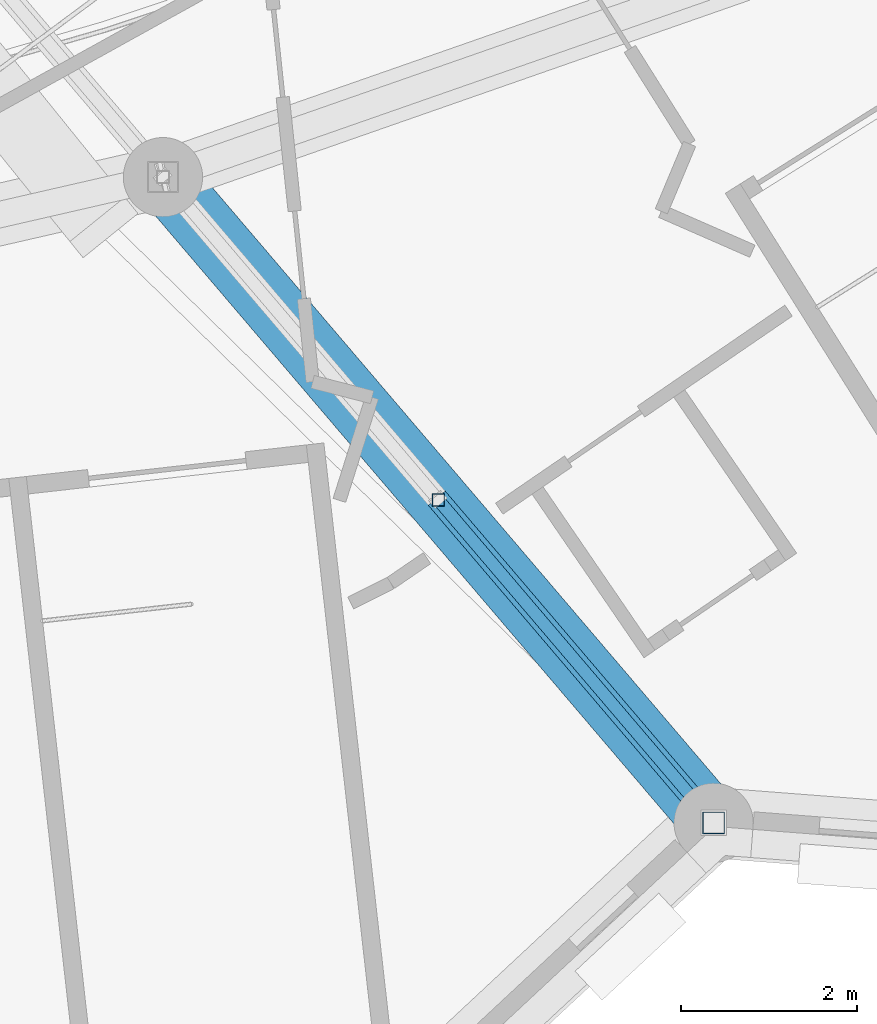
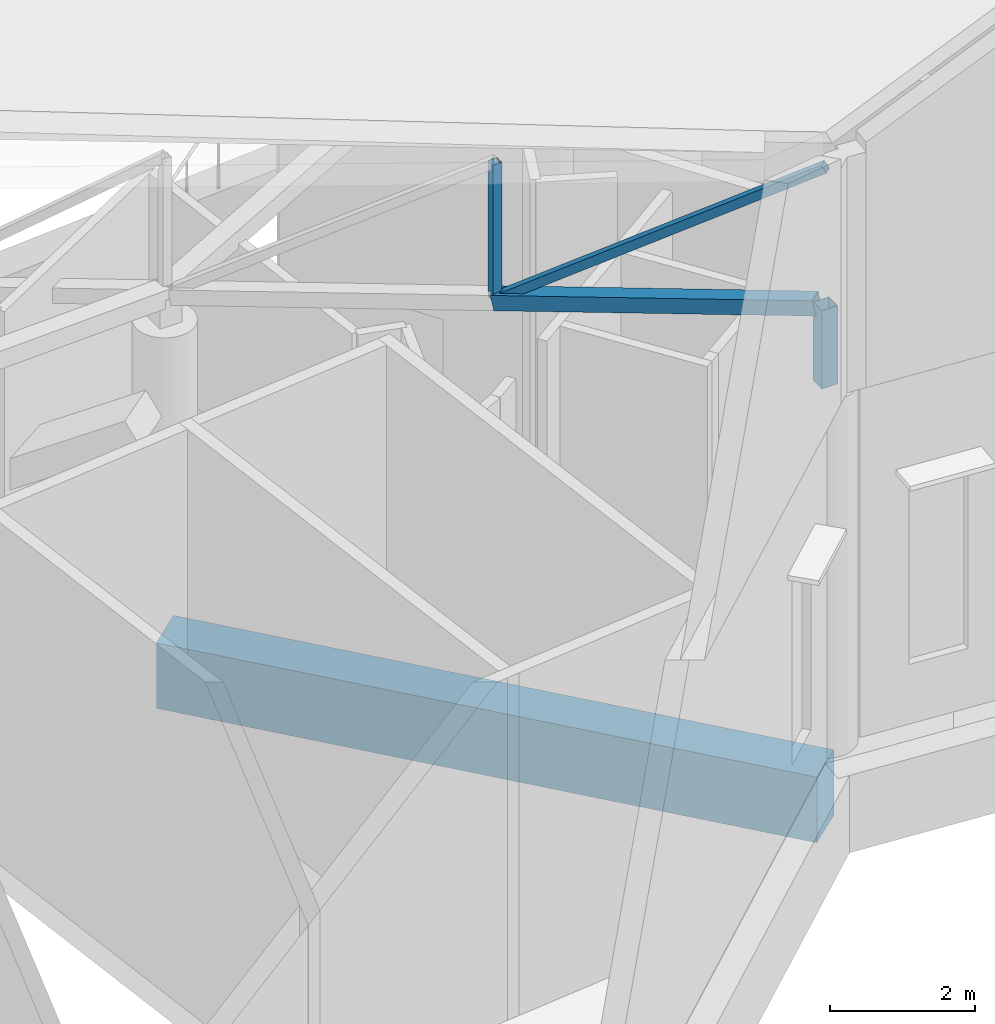
# One storey, part 78 of 344: 4 members, 1 beam.
"""IFC4 building model written with IfcOpenShell, lengths in metres."""

from ifc_helpers import new_model, si_unit, direction, frame, origin, origin_2d, place, context, subcontext, project, spatial, rectangle, hollow_rectangle, extrude, material, material_profile, profile_set, type_object, element, save


model = new_model("IFC4")

# Units and contexts
model_context = context("Model", 3, precision=1e-05, world=origin(), true_north=direction((0.0, 1.0)))
body_context = subcontext(model_context, "Body", "Model", "MODEL_VIEW")
ifc_project = project(units=[si_unit("LENGTHUNIT", "METRE"), si_unit("AREAUNIT", "SQUARE_METRE"), si_unit("VOLUMEUNIT", "CUBIC_METRE"), si_unit("PLANEANGLEUNIT", "RADIAN"), si_unit("MASSUNIT", "GRAM", prefix="KILO")], contexts=[model_context])

# Site, building, storey
site_placement = place(None, origin())
site = spatial("IfcSite", under=ifc_project, at=site_placement, CompositionType="ELEMENT")
building_placement = place(site_placement, origin())
building = spatial("IfcBuilding", under=site, at=building_placement, Name="Meseta Stadium", CompositionType="ELEMENT")
storey_placement = place(building_placement, frame((0.0, 0.0, 24.0)))
storey = spatial("IfcBuildingStorey", under=building, at=storey_placement, Name="L04", CompositionType="ELEMENT", Elevation=24.0)

# Beam
ifc_material_1 = material(Name="Concrete C40/50", Category="concrete")
ifc_material_profile_1 = material_profile(ifc_material_1, rectangle(XDim=0.699951171875, YDim=1.10009765625, at=origin_2d()), Name="RC 700x1100")
ifc_profile_set_1 = profile_set([ifc_material_profile_1], Name="Concrete C40/50")
beam_type = type_object("IfcBeamType", Name="RC beam 700x1100", PredefinedType="BEAM", material=ifc_profile_set_1)
beam_placement = place(storey_placement, frame((55.799560546875, -88.541748046875, -0.949951171875), z_axis=(0.648886206148, -0.760885465409, 0.0), x_axis=(0.760885465409, 0.648886206148, 0.0)))
element("IfcBeam", 1, at=beam_placement, inside=storey, type_object=beam_type, Name="L04 radial beam frame 51 line P to R", PredefinedType="BEAM", context=body_context, shape_type="SweptSolid", body=[
    extrude(rectangle(XDim=0.699951171875, YDim=1.10009765625, at=origin_2d()), origin(), (0.0, 0.0, 1.0), 9.635009765625),
])

# Members
ifc_material_2 = material(Name="Steel S355", Category="steel")
ifc_material_profile_2 = material_profile(ifc_material_2, hollow_rectangle(XDim=0.139892578125, YDim=0.139892578125, WallThickness=0.0048828125, at=origin_2d()), Name="SHS 140x140x5")
ifc_profile_set_2 = profile_set([ifc_material_profile_2], Name="Steel S355")
member_type_1 = type_object("IfcMemberType", Name="SHS 140x140x5 diagonal", PredefinedType="BRACE", material=ifc_profile_set_2)
member_1_placement = place(storey_placement, frame((58.925537109375, -92.207275390625, 6.28076171875), z_axis=(0.533506699904, -0.625591189657, 0.569215481677), x_axis=(0.760885465409, 0.648886206148, 0.0)))
element("IfcMember", 2, at=member_1_placement, inside=storey, type_object=member_type_1, Name="ROOF TRUSS RT-51 diagonal", PredefinedType="BRACE", context=body_context, shape_type="SweptSolid", body=[
    extrude(hollow_rectangle(XDim=0.139892578125, YDim=0.139892578125, WallThickness=0.0048828125, at=origin_2d()), origin(), (0.0, 0.0, 1.0), 5.859375),
])
ifc_material_3 = material(Name="Steel S355", Category="steel")
ifc_material_profile_3 = material_profile(ifc_material_3, hollow_rectangle(XDim=0.139892578125, YDim=0.139892578125, WallThickness=0.0048828125, at=origin_2d()), Name="SHS 140x140x5")
ifc_profile_set_3 = profile_set([ifc_material_profile_3], Name="Steel S355")
member_type_2 = type_object("IfcMemberType", Name="SHS 140x140x5 post", PredefinedType="POST", material=ifc_profile_set_3)
member_2_placement = place(storey_placement, frame((58.925537109375, -92.207275390625, 6.28076171875), z_axis=(0.0, 0.0, 1.0), x_axis=(1.0, 0.0, 0.0)))
element("IfcMember", 3, at=member_2_placement, inside=storey, type_object=member_type_2, Name="ROOF TRUSS RT-51 post", PredefinedType="POST", context=body_context, shape_type="SweptSolid", body=[
    extrude(hollow_rectangle(XDim=0.139892578125, YDim=0.139892578125, WallThickness=0.0048828125, at=origin_2d()), origin(), (0.0, 0.0, 1.0), 2.300048828125),
])
ifc_material_4 = material(Name="Steel S355", Category="steel")
ifc_material_profile_4 = material_profile(ifc_material_4, hollow_rectangle(XDim=0.25, YDim=0.25, WallThickness=0.010009765625, at=origin_2d()), Name="SHS 250x250x10")
ifc_profile_set_4 = profile_set([ifc_material_profile_4], Name="Steel S355")
member_type_3 = type_object("IfcMemberType", Name="SHS 250x250x10 bottom chord", PredefinedType="CHORD", material=ifc_profile_set_4)
member_3_placement = place(storey_placement, frame((58.925537109375, -92.207275390625, 6.28076171875), z_axis=(0.634399105865, -0.743902725869, 0.21011070635), x_axis=(0.760887561781, 0.64888374793, 0.0)))
element("IfcMember", 4, at=member_3_placement, inside=storey, type_object=member_type_3, Name="ROOF TRUSS RT-51 bottom chord", PredefinedType="CHORD", context=body_context, shape_type="SweptSolid", body=[
    extrude(hollow_rectangle(XDim=0.25, YDim=0.25, WallThickness=0.010009765625, at=origin_2d()), origin(), (0.0, 0.0, 1.0), 4.802490234375),
])
ifc_material_5 = material(Name="Steel S355", Category="steel")
ifc_material_profile_5 = material_profile(ifc_material_5, hollow_rectangle(XDim=0.25, YDim=0.25, WallThickness=0.010009765625, at=origin_2d()), Name="SHS 250x250x10")
ifc_profile_set_5 = profile_set([ifc_material_profile_5], Name="Steel S355")
member_type_4 = type_object("IfcMemberType", Name="SHS 250x250x10 rim post", PredefinedType="POST", material=ifc_profile_set_5)
member_4_placement = place(storey_placement, frame((62.051513671875, -95.872802734375, 6.0), z_axis=(0.0, 0.0, 1.0), x_axis=(1.0, 0.0, 0.0)))
element("IfcMember", 5, at=member_4_placement, inside=storey, type_object=member_type_4, Name="ROOF RIM POST RT-51", PredefinedType="POST", context=body_context, shape_type="SweptSolid", body=[
    extrude(hollow_rectangle(XDim=0.25, YDim=0.25, WallThickness=0.010009765625, at=origin_2d()), origin(), (0.0, 0.0, 1.0), 1.31591796875),
])

save(model, "model.ifc")
